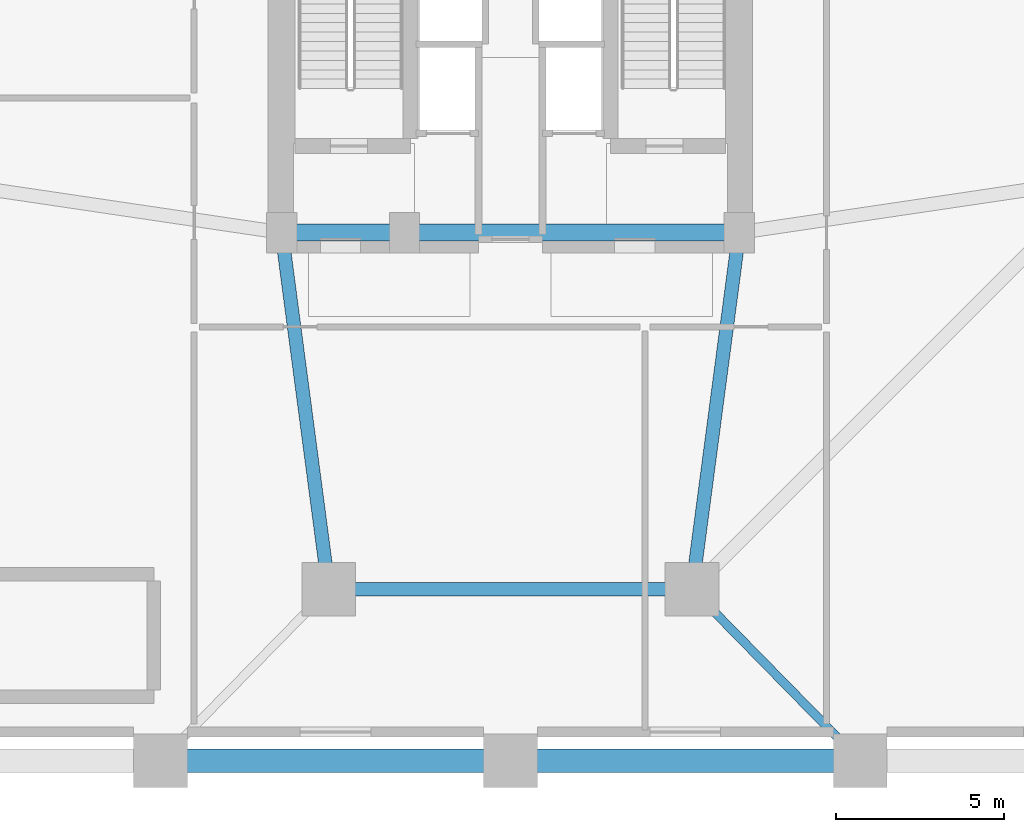
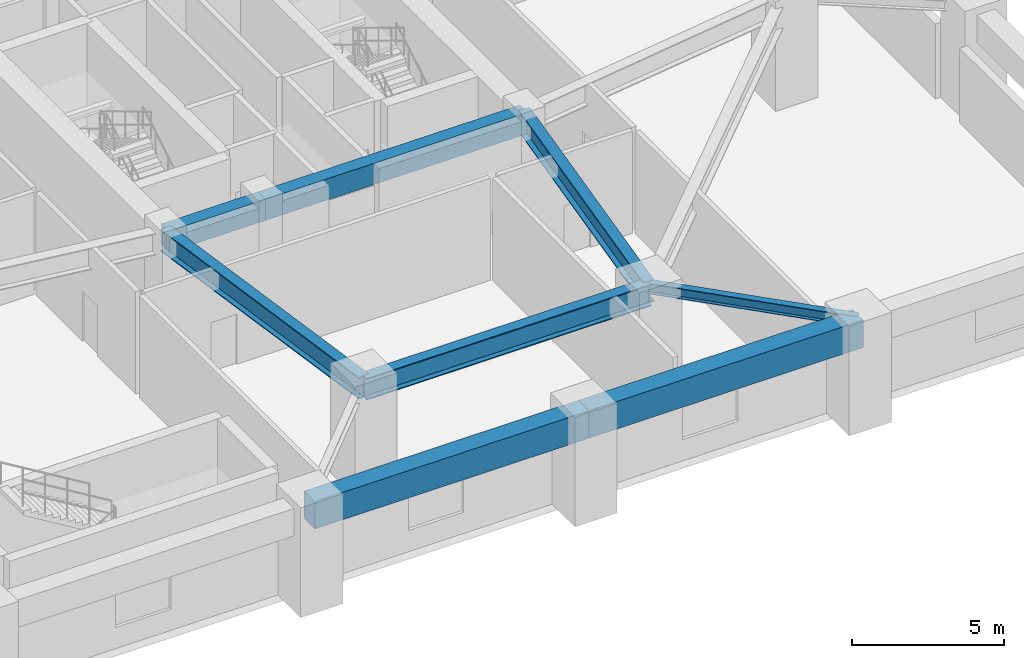
# One storey, part 3 of 16: 8 beams.
"""IFC4 building model written with IfcOpenShell, lengths in metres."""

from ifc_helpers import new_model, si_unit, direction, frame, origin, origin_2d, place, context, subcontext, project, spatial, rectangle, i_section, extrude, material, material_profile, profile_set, type_object, element, save


model = new_model("IFC4")

# Units and contexts
model_context = context("Model", 3, precision=1e-05, world=origin(), true_north=direction((0.0, 1.0)))
body_context = subcontext(model_context, "Body", "Model", "MODEL_VIEW")
ifc_project = project(units=[si_unit("LENGTHUNIT", "METRE"), si_unit("AREAUNIT", "SQUARE_METRE"), si_unit("VOLUMEUNIT", "CUBIC_METRE"), si_unit("PLANEANGLEUNIT", "RADIAN"), si_unit("MASSUNIT", "GRAM", prefix="KILO")], contexts=[model_context])

# Site, building, storey
site_placement = place(None, origin())
site = spatial("IfcSite", under=ifc_project, at=site_placement, CompositionType="ELEMENT")
building_placement = place(site_placement, origin())
building = spatial("IfcBuilding", under=site, at=building_placement, Name="Veraguas Prism Commons", CompositionType="ELEMENT")
storey_placement = place(building_placement, frame((0.0, 0.0, 9.60009765625)))
storey = spatial("IfcBuildingStorey", under=building, at=storey_placement, Name="L02", CompositionType="ELEMENT", Elevation=9.60009765625)

# Beams
ifc_material_1 = material(Name="Steel ASTM A992 Grade 50", Category="steel")
ifc_material_profile_1 = material_profile(ifc_material_1, i_section(OverallWidth=0.403076171875, OverallDepth=0.867919921875, WebThickness=0.02099609375, FlangeThickness=0.03564453125, at=origin_2d()), Name="W840X359")
ifc_profile_set_1 = profile_set([ifc_material_profile_1], Name="Steel ASTM A992 Grade 50")
beam_type_1 = type_object("IfcBeamType", Name="Concourse Primary Girder W840x359", PredefinedType="BEAM", material=ifc_profile_set_1)
for number, where, z_axis, x_axis, name in (
    (1, (18.60009765625, 6.39990234375, 3.666015625), (-0.130950648891, 0.991388888154, 0.0), (-0.991388888154, -0.130950648891, 0.0), "Concourse Radial Girder L02-TMR07"),
    (2, (29.39990234375, 6.39990234375, 3.666015625), (0.130950648891, 0.991388888154, 0.0), (-0.991388888154, 0.130950648891, 0.0), "Concourse Radial Girder L02-TMR08"),
):
    element("IfcBeam", number, at=place(storey_placement, frame(where, z_axis=z_axis, x_axis=x_axis)), inside=storey, type_object=beam_type_1, Name=name, PredefinedType="BEAM", context=body_context, shape_type="SweptSolid", body=[
        extrude(i_section(OverallWidth=0.403076171875, OverallDepth=0.867919921875, WebThickness=0.02099609375, FlangeThickness=0.03564453125, at=origin_2d()), origin(), (0.0, 0.0, 1.0), 10.692138671875),
    ])
beam_1_placement = place(storey_placement, frame((18.60009765625, 6.39990234375, 3.666015625), z_axis=(1.0, 0.0, 0.0), x_axis=(0.0, 1.0, 0.0)))
element("IfcBeam", 3, at=beam_1_placement, inside=storey, type_object=beam_type_1, Name="Concourse Ring Girder L02-TMH07", PredefinedType="BEAM", context=body_context, shape_type="SweptSolid", body=[
    extrude(i_section(OverallWidth=0.403076171875, OverallDepth=0.867919921875, WebThickness=0.02099609375, FlangeThickness=0.03564453125, at=origin_2d()), origin(), (0.0, 0.0, 1.0), 10.7998046875),
])
ifc_material_2 = material(Name="Concrete C50/60", Category="concrete")
ifc_material_profile_2 = material_profile(ifc_material_2, rectangle(XDim=0.5, YDim=0.85009765625, at=origin_2d()), Name="RC500X850")
ifc_profile_set_2 = profile_set([ifc_material_profile_2], Name="Concrete C50/60")
beam_type_2 = type_object("IfcBeamType", Name="Core Coupling Beam RC 500x850", PredefinedType="BEAM", material=ifc_profile_set_2)
beam_2_placement = place(storey_placement, frame((17.199951171875, 17.0, 3.6748046875), z_axis=(1.0, 0.0, 0.0), x_axis=(0.0, 1.0, 0.0)))
element("IfcBeam", 4, at=beam_2_placement, inside=storey, type_object=beam_type_2, Name="Core Coupling Beam L02-CRS1", PredefinedType="BEAM", context=body_context, shape_type="SweptSolid", body=[
    extrude(rectangle(XDim=0.5, YDim=0.85009765625, at=origin_2d()), origin(), (0.0, 0.0, 1.0), 3.650146484375),
])
beam_3_placement = place(storey_placement, frame((20.85009765625, 17.0, 3.6748046875), z_axis=(1.0, 0.0, 0.0), x_axis=(0.0, 1.0, 0.0)))
element("IfcBeam", 5, at=beam_3_placement, inside=storey, type_object=beam_type_2, Name="Core Coupling Beam L02-CRS2", PredefinedType="BEAM", context=body_context, shape_type="SweptSolid", body=[
    extrude(rectangle(XDim=0.5, YDim=0.85009765625, at=origin_2d()), origin(), (0.0, 0.0, 1.0), 9.949951171875),
])
ifc_material_profile_3 = material_profile(ifc_material_1, i_section(OverallWidth=0.260986328125, OverallDepth=0.419921875, WebThickness=0.01171875, FlangeThickness=0.019287109375, at=origin_2d()), Name="W410X114")
ifc_profile_set_3 = profile_set([ifc_material_profile_3], Name="Steel ASTM A992 Grade 50")
beam_type_3 = type_object("IfcBeamType", Name="Lower Floor Joist W410x114", PredefinedType="JOIST", material=ifc_profile_set_3)
beam_4_placement = place(storey_placement, frame((29.39990234375, 6.39990234375, 3.889892578125), z_axis=(0.700081663946, -0.71406278702, 0.0), x_axis=(0.71406278702, 0.700081663946, 0.0)))
element("IfcBeam", 6, at=beam_4_placement, inside=storey, type_object=beam_type_3, Name="Podium Tie Beam L02-TMT08", PredefinedType="JOIST", context=body_context, shape_type="SweptSolid", body=[
    extrude(i_section(OverallWidth=0.260986328125, OverallDepth=0.419921875, WebThickness=0.01171875, FlangeThickness=0.019287109375, at=origin_2d()), origin(), (0.0, 0.0, 1.0), 7.14208984375),
])
ifc_material_profile_4 = material_profile(ifc_material_2, rectangle(XDim=0.699951171875, YDim=1.10009765625, at=origin_2d()), Name="RC700X1100")
ifc_profile_set_4 = profile_set([ifc_material_profile_4], Name="Concrete C50/60")
beam_type_4 = type_object("IfcBeamType", Name="Podium Primary Girder RC 700x1100", PredefinedType="BEAM", material=ifc_profile_set_4)
for number, where, z_axis, x_axis, name in (
    (7, (13.60009765625, 1.300048828125, 3.5498046875), (1.0, 0.0, 0.0), (0.0, 1.0, 0.0), "Podium Perimeter Girder L02-PDR02"),
    (8, (24.0, 1.300048828125, 3.5498046875), (1.0, 0.0, 0.0), (0.0, 1.0, 0.0), "Podium Perimeter Girder L02-PDR03"),
):
    element("IfcBeam", number, at=place(storey_placement, frame(where, z_axis=z_axis, x_axis=x_axis)), inside=storey, type_object=beam_type_4, Name=name, PredefinedType="BEAM", context=body_context, shape_type="SweptSolid", body=[
        extrude(rectangle(XDim=0.699951171875, YDim=1.10009765625, at=origin_2d()), origin(), (0.0, 0.0, 1.0), 10.39990234375),
    ])

save(model, "model.ifc")
